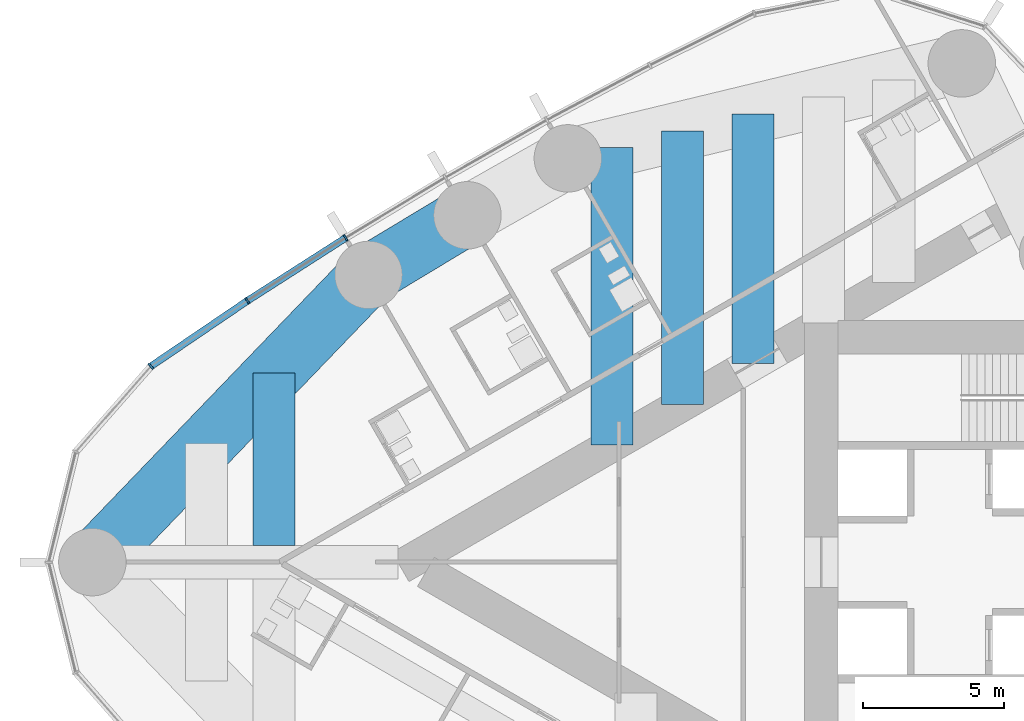
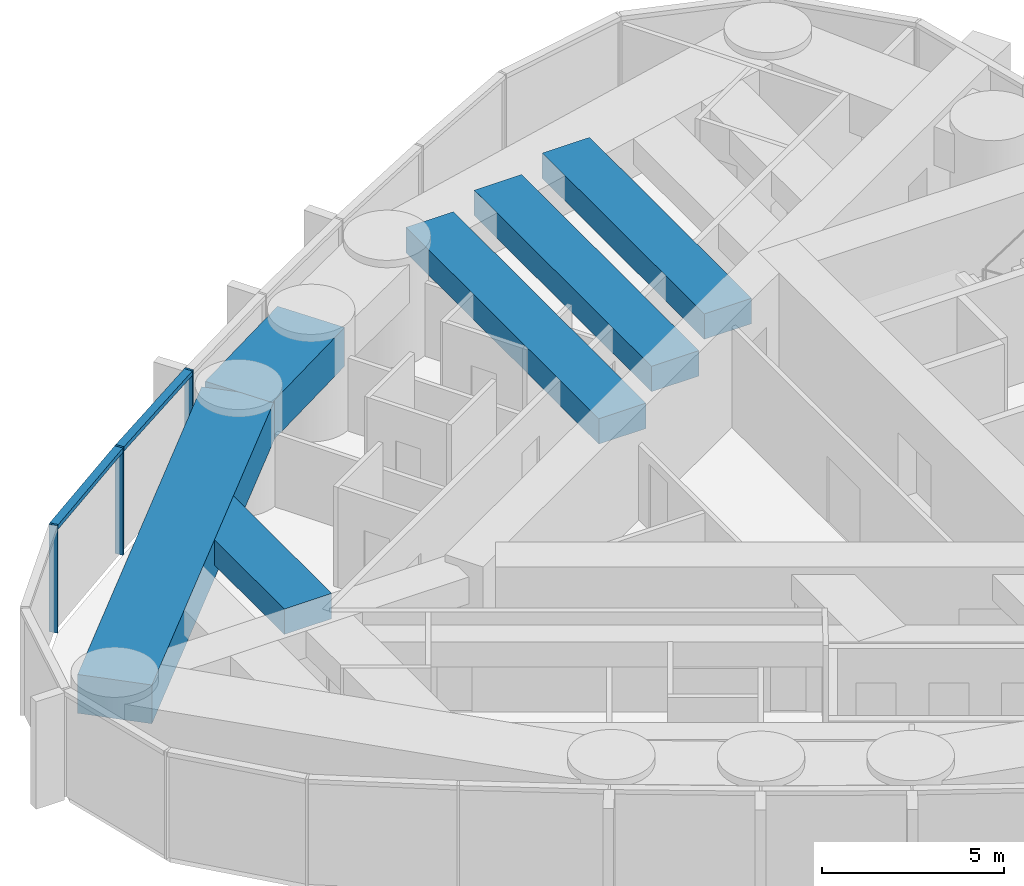
# One storey, part 3 of 23: 6 beams, 5 members, 1 element without a shape of its own.
"""IFC4 building model written with IfcOpenShell, lengths in metres."""

from ifc_helpers import new_model, si_unit, direction, frame, origin, origin_2d, place, context, subcontext, project, spatial, rectangle, extrude, material, material_profile, profile_set, type_object, element, aggregate, save


model = new_model("IFC4")

# Units and contexts
model_context = context("Model", 3, precision=1e-05, world=origin(), true_north=direction((0.0, 1.0)))
body_context = subcontext(model_context, "Body", "Model", "MODEL_VIEW")
ifc_project = project(units=[si_unit("LENGTHUNIT", "METRE"), si_unit("AREAUNIT", "SQUARE_METRE"), si_unit("VOLUMEUNIT", "CUBIC_METRE"), si_unit("PLANEANGLEUNIT", "RADIAN"), si_unit("MASSUNIT", "GRAM", prefix="KILO")], contexts=[model_context])

# Site, building, storey
site_placement = place(None, origin())
site = spatial("IfcSite", under=ifc_project, at=site_placement, CompositionType="ELEMENT")
building_placement = place(site_placement, origin())
building = spatial("IfcBuilding", under=site, at=building_placement, Name="Lancet Gate Hotel", CompositionType="ELEMENT")
storey_placement = place(building_placement, frame((0.0, 0.0, 218.89990234375)))
storey = spatial("IfcBuildingStorey", under=building, at=storey_placement, Name="L58", CompositionType="ELEMENT", Elevation=218.89990234375)

# Curtain wall, members
ifc_material_1 = material(Name="Aluminium curtain wall", Category="aluminium")
curtain_wall_type = type_object("IfcCurtainWallType", Name="Tower unitised curtain wall", PredefinedType="USERDEFINED", material=ifc_material_1)
curtain_wall_placement = place(storey_placement, origin())
curtain_wall = element("IfcCurtainWall", 1, at=curtain_wall_placement, inside=storey, type_object=curtain_wall_type, Name="T1 L58 curtain wall 1", ObjectType="UNITISED CURTAIN WALL", PredefinedType="USERDEFINED")
ifc_material_2 = material(Name="Aluminium mullion", Category="aluminium")
ifc_material_profile_1 = material_profile(ifc_material_2, rectangle(XDim=0.06494140625, YDim=0.25, at=origin_2d()), Name="MULLION 65x250")
ifc_profile_set_1 = profile_set([ifc_material_profile_1], Name="Aluminium mullion")
member_type_1 = type_object("IfcMemberType", Name="Aluminium mullion 65x250", PredefinedType="MULLION", material=ifc_profile_set_1)
member_1_placement = place(storey_placement, frame((-54.225830078125, 11.535400390625, 0.0), z_axis=(0.0, 0.0, 1.0), x_axis=(-0.849342388216, -0.527842313176, 0.0)))
member_1 = element("IfcMember", 2, at=member_1_placement, type_object=member_type_1, Name="T1 L58 curtain wall 1 mullion 9", PredefinedType="MULLION", context=body_context, shape_type="SweptSolid", body=[
    extrude(rectangle(XDim=0.06494140625, YDim=0.25, at=origin_2d()), origin(), (0.0, 0.0, 1.0), 3.60009765625),
])
member_2_placement = place(storey_placement, frame((-57.72021484375, 9.298095703125, 0.0), z_axis=(0.0, 0.0, 1.0), x_axis=(-0.834827178542, -0.550512108829, 0.0)))
member_2 = element("IfcMember", 3, at=member_2_placement, type_object=member_type_1, Name="T1 L58 curtain wall 1 mullion 10", PredefinedType="MULLION", context=body_context, shape_type="SweptSolid", body=[
    extrude(rectangle(XDim=0.06494140625, YDim=0.25, at=origin_2d()), origin(), (0.0, 0.0, 1.0), 3.60009765625),
])
member_3_placement = place(storey_placement, frame((-61.15283203125, 6.967529296875, 0.0), z_axis=(0.0, 0.0, 1.0), x_axis=(-0.750715604757, -0.660625522345, 0.0)))
member_3 = element("IfcMember", 4, at=member_3_placement, type_object=member_type_1, Name="T1 L58 curtain wall 1 mullion 11", PredefinedType="MULLION", context=body_context, shape_type="SweptSolid", body=[
    extrude(rectangle(XDim=0.06494140625, YDim=0.25, at=origin_2d()), origin(), (0.0, 0.0, 1.0), 3.60009765625),
])
ifc_material_3 = material(Name="Aluminium transom", Category="aluminium")
ifc_material_profile_2 = material_profile(ifc_material_3, rectangle(XDim=0.25, YDim=0.14990234375, at=origin_2d()), Name="TRANSOM 250x150")
ifc_profile_set_2 = profile_set([ifc_material_profile_2], Name="Aluminium transom")
member_type_2 = type_object("IfcMemberType", Name="Aluminium transom 250x150", PredefinedType="USERDEFINED", material=ifc_profile_set_2)
member_4_placement = place(storey_placement, frame((-54.253173828125, 11.51806640625, 3.525146484375), z_axis=(-0.842144358733, -0.539252147937, 0.0), x_axis=(0.539252147937, -0.842144358733, 0.0)))
member_4 = element("IfcMember", 5, at=member_4_placement, type_object=member_type_2, Name="T1 L58 curtain wall 1 transom 9", ObjectType="TRANSOM", PredefinedType="USERDEFINED", context=body_context, shape_type="SweptSolid", body=[
    extrude(rectangle(XDim=0.25, YDim=0.14990234375, at=origin_2d()), origin(), (0.0, 0.0, 1.0), 4.084228515625),
])
member_5_placement = place(storey_placement, frame((-57.7470703125, 9.27978515625, 3.525146484375), z_axis=(-0.827348780456, -0.561688521761, 0.0), x_axis=(0.561688521761, -0.827348780456, 0.0)))
member_5 = element("IfcMember", 6, at=member_5_placement, type_object=member_type_2, Name="T1 L58 curtain wall 1 transom 10", ObjectType="TRANSOM", PredefinedType="USERDEFINED", context=body_context, shape_type="SweptSolid", body=[
    extrude(rectangle(XDim=0.25, YDim=0.14990234375, at=origin_2d()), origin(), (0.0, 0.0, 1.0), 4.083984375),
])
aggregate(curtain_wall, [member_1, member_2, member_3, member_4, member_5])

# Beams
ifc_material_4 = material(Name="Concrete C50/60", Category="concrete")
ifc_material_profile_3 = material_profile(ifc_material_4, rectangle(XDim=2.10009765625, YDim=1.300048828125, at=origin_2d()), Name="RC 2100x1300")
ifc_profile_set_3 = profile_set([ifc_material_profile_3], Name="Concrete C50/60")
beam_type_1 = type_object("IfcBeamType", Name="Edge beam RC 2100x1300", PredefinedType="SPANDREL", material=ifc_profile_set_3)
beam_1_placement = place(storey_placement, frame((-49.89013671875, 12.340087890625, 2.7001953125), z_axis=(-0.856358061538, -0.516382484636, 0.0), x_axis=(0.516382484636, -0.856358061538, 0.0)))
element("IfcBeam", 7, at=beam_1_placement, inside=storey, type_object=beam_type_1, Name="T1 edge beam EB1 L58", PredefinedType="SPANDREL", context=body_context, shape_type="SweptSolid", body=[
    extrude(rectangle(XDim=2.10009765625, YDim=1.300048828125, at=origin_2d()), origin(), (0.0, 0.0, 1.0), 4.107666015625),
])
beam_2_placement = place(storey_placement, frame((-53.40771484375, 10.218994140625, 2.7001953125), z_axis=(-0.693134527053, -0.720808245934, 0.0), x_axis=(0.720808245934, -0.693134527053, 0.0)))
element("IfcBeam", 8, at=beam_2_placement, inside=storey, type_object=beam_type_1, Name="T1 edge beam EB1 L58", PredefinedType="SPANDREL", context=body_context, shape_type="SweptSolid", body=[
    extrude(rectangle(XDim=2.10009765625, YDim=1.300048828125, at=origin_2d()), origin(), (0.0, 0.0, 1.0), 14.17724609375),
])
ifc_material_5 = material(Name="Concrete C50/60", Category="concrete")
ifc_material_profile_4 = material_profile(ifc_material_5, rectangle(XDim=1.5, YDim=0.85009765625, at=origin_2d()), Name="RC 1500x850")
ifc_profile_set_4 = profile_set([ifc_material_profile_4], Name="Concrete C50/60")
beam_type_2 = type_object("IfcBeamType", Name="Floor beam RC 1500x850", PredefinedType="BEAM", material=ifc_profile_set_4)
beam_3_placement = place(storey_placement, frame((-39.734130859375, 15.952880859375, 2.925048828125), z_axis=(0.0, -1.0, 0.0), x_axis=(1.0, 0.0, 0.0)))
element("IfcBeam", 9, at=beam_3_placement, inside=storey, type_object=beam_type_2, Name="T1 floor beam F05S L58", PredefinedType="BEAM", context=body_context, shape_type="SweptSolid", body=[
    extrude(rectangle(XDim=1.5, YDim=0.85009765625, at=origin_2d()), origin(), (0.0, 0.0, 1.0), 8.889404296875),
])
beam_4_placement = place(storey_placement, frame((-42.240966796875, 15.348388671875, 2.925048828125), z_axis=(0.0, -1.0, 0.0), x_axis=(1.0, 0.0, 0.0)))
element("IfcBeam", 10, at=beam_4_placement, inside=storey, type_object=beam_type_2, Name="T1 floor beam F06S L58", PredefinedType="BEAM", context=body_context, shape_type="SweptSolid", body=[
    extrude(rectangle(XDim=1.5, YDim=0.85009765625, at=origin_2d()), origin(), (0.0, 0.0, 1.0), 9.732421875),
])
beam_5_placement = place(storey_placement, frame((-44.747802734375, 14.743896484375, 2.925048828125), z_axis=(0.0, -1.0, 0.0), x_axis=(1.0, 0.0, 0.0)))
element("IfcBeam", 11, at=beam_5_placement, inside=storey, type_object=beam_type_2, Name="T1 floor beam F08S L58", PredefinedType="BEAM", context=body_context, shape_type="SweptSolid", body=[
    extrude(rectangle(XDim=1.5, YDim=0.85009765625, at=origin_2d()), origin(), (0.0, 0.0, 1.0), 10.5751953125),
])
beam_6_placement = place(storey_placement, frame((-56.768310546875, 6.72412109375, 2.925048828125), z_axis=(0.0, -1.0, 0.0), x_axis=(1.0, 0.0, 0.0)))
element("IfcBeam", 12, at=beam_6_placement, inside=storey, type_object=beam_type_2, Name="T1 floor beam F09S L58", PredefinedType="BEAM", context=body_context, shape_type="SweptSolid", body=[
    extrude(rectangle(XDim=1.5, YDim=0.85009765625, at=origin_2d()), origin(), (0.0, 0.0, 1.0), 6.1240234375),
])

save(model, "model.ifc")
